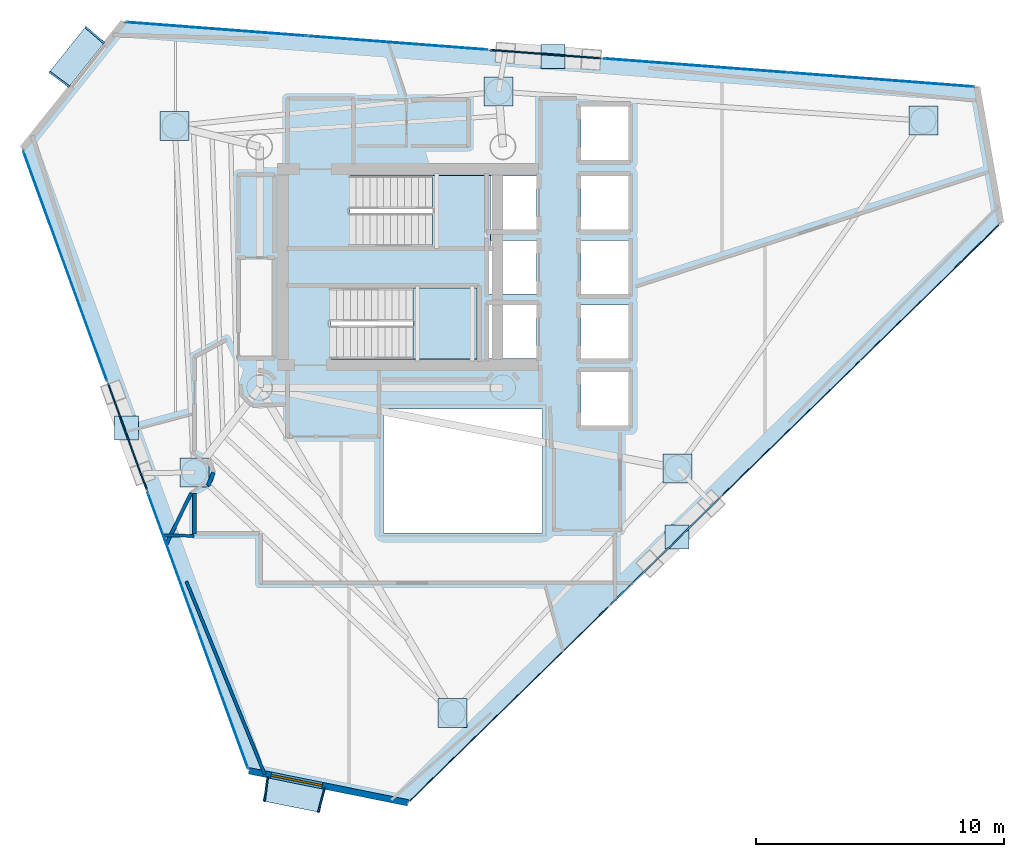
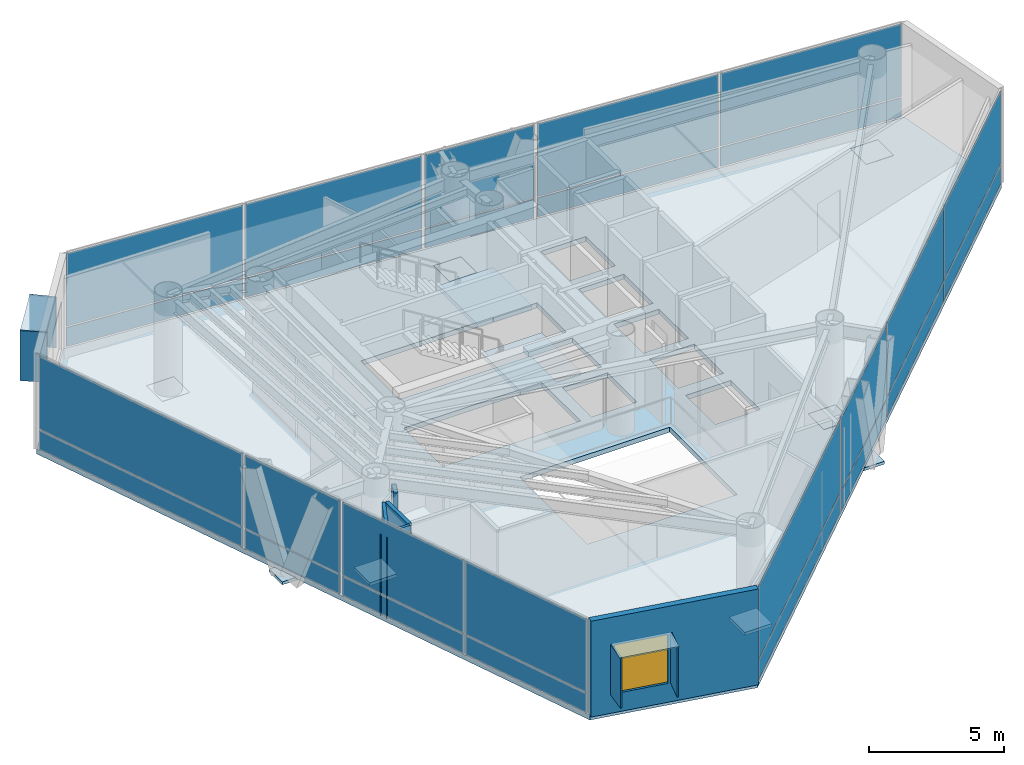
# One storey, part 16 of 21: 41 plates, 6 walls, 3 slabs, 1 window, 1 opening, 11 elements without a shape of their own.
"""IFC4 building model written with IfcOpenShell, lengths in metres."""

from ifc_helpers import new_model, si_unit, direction, frame, frame_2d, origin, origin_2d, place, context, subcontext, project, spatial, polyline, rectangle, outline, extrude, material, layer, layer_set, type_object, element, fill, aggregate, save


model = new_model("IFC4")

# Units and contexts
model_context = context("Model", 3, precision=1e-05, world=origin(), true_north=direction((0.0, 1.0)))
body_context = subcontext(model_context, "Body", "Model", "MODEL_VIEW")
ifc_project = project(units=[si_unit("LENGTHUNIT", "METRE"), si_unit("AREAUNIT", "SQUARE_METRE"), si_unit("VOLUMEUNIT", "CUBIC_METRE"), si_unit("PLANEANGLEUNIT", "RADIAN"), si_unit("MASSUNIT", "GRAM", prefix="KILO")], contexts=[model_context])

# Site, building, storey
site_placement = place(None, origin())
site = spatial("IfcSite", under=ifc_project, at=site_placement, CompositionType="ELEMENT")
building_placement = place(site_placement, origin())
building = spatial("IfcBuilding", under=site, at=building_placement, Name="Qianvela Tower", CompositionType="ELEMENT")
storey_placement = place(building_placement, frame((0.0, 0.0, 234.5)))
storey = spatial("IfcBuildingStorey", under=building, at=storey_placement, Name="L60", CompositionType="ELEMENT", Elevation=234.5)

# Curtain wall, plates
ifc_material_1 = material(Name="Anodised Architectural Aluminium and Insulated Spandrel Panel", Category="aluminium")
ifc_layer_1 = layer(ifc_material_1, 0.179931640625)
ifc_layer_set_1 = layer_set([ifc_layer_1], Name="Anodised Architectural Aluminium and Insulated Spandrel Panel")
curtain_wall_type_1 = type_object("IfcCurtainWallType", Name="CW-BRACEBAY", PredefinedType="USERDEFINED", material=ifc_layer_set_1)
curtain_wall_1_placement = place(storey_placement, origin())
curtain_wall_1 = element("IfcCurtainWall", 1, at=curtain_wall_1_placement, inside=storey, type_object=curtain_wall_type_1, Name="L60 CW-BRACEBAY Curtain Wall 02B", ObjectType="CURTAIN_WALL_SYSTEM", PredefinedType="USERDEFINED")
ifc_material_2 = material(Name="Insulated Aluminium Spandrel Panel with Mineral-Wool Backpan", Category="aluminium")
ifc_layer_2 = layer(ifc_material_2, 0.06005859375)
ifc_layer_set_2 = layer_set([ifc_layer_2], Name="Insulated Aluminium Spandrel Panel with Mineral-Wool Backpan")
plate_type_1 = type_object("IfcPlateType", Name="CW-BRACEBAY-PNL", PredefinedType="CURTAIN_PANEL", material=ifc_layer_set_2)
plate_1_placement = place(storey_placement, frame((40.12548828125, 37.282470703125, 0.06494140625), z_axis=(0.0, 0.0, 1.0), x_axis=(-0.997115046237, 0.075905102383, 0.0)))
plate_1 = element("IfcPlate", 2, at=plate_1_placement, type_object=plate_type_1, Name="CW-9 panel 1.1", PredefinedType="CURTAIN_PANEL", context=body_context, shape_type="SweptSolid", body=[
    extrude(rectangle(XDim=4.4599609375, YDim=0.06005859375, at=origin_2d()), origin(), (0.0, 0.0, 1.0), 0.8525390625),
])
plate_2_placement = place(storey_placement, frame((40.12548828125, 37.282470703125, 0.982421875), z_axis=(0.0, 0.0, 1.0), x_axis=(-0.997115046237, 0.075905102383, 0.0)))
plate_2 = element("IfcPlate", 3, at=plate_2_placement, type_object=plate_type_1, Name="CW-9 panel 1.2", PredefinedType="CURTAIN_PANEL", context=body_context, shape_type="SweptSolid", body=[
    extrude(rectangle(XDim=4.4599609375, YDim=0.06005859375, at=origin_2d()), origin(), (0.0, 0.0, 1.0), 3.2724609375),
])
aggregate(curtain_wall_1, [plate_1, plate_2])

curtain_wall_2_placement = place(storey_placement, origin())
curtain_wall_2 = element("IfcCurtainWall", 4, at=curtain_wall_2_placement, inside=storey, type_object=curtain_wall_type_1, Name="L60 CW-BRACEBAY Curtain Wall 04B", ObjectType="CURTAIN_WALL_SYSTEM", PredefinedType="USERDEFINED")
plate_3_placement = place(storey_placement, frame((23.275146484375, 21.874267578125, 0.06494140625), z_axis=(0.0, 0.0, 1.0), x_axis=(0.342011260937, -0.939695853663, 0.0)))
plate_3 = element("IfcPlate", 5, at=plate_3_placement, type_object=plate_type_1, Name="CW-9 panel 1.1", PredefinedType="CURTAIN_PANEL", context=body_context, shape_type="SweptSolid", body=[
    extrude(rectangle(XDim=4.5400390625, YDim=0.06005859375, at=origin_2d()), origin(), (0.0, 0.0, 1.0), 0.8525390625),
])
plate_4_placement = place(storey_placement, frame((23.275146484375, 21.874267578125, 0.982421875), z_axis=(0.0, 0.0, 1.0), x_axis=(0.342011260937, -0.939695853663, 0.0)))
plate_4 = element("IfcPlate", 6, at=plate_4_placement, type_object=plate_type_1, Name="CW-9 panel 1.2", PredefinedType="CURTAIN_PANEL", context=body_context, shape_type="SweptSolid", body=[
    extrude(rectangle(XDim=4.5400390625, YDim=0.06005859375, at=origin_2d()), origin(), (0.0, 0.0, 1.0), 3.2724609375),
])
aggregate(curtain_wall_2, [plate_3, plate_4])

curtain_wall_3_placement = place(storey_placement, origin())
curtain_wall_3 = element("IfcCurtainWall", 7, at=curtain_wall_3_placement, inside=storey, type_object=curtain_wall_type_1, Name="L60 CW-BRACEBAY Curtain Wall 06B", ObjectType="CURTAIN_WALL_SYSTEM", PredefinedType="USERDEFINED")
plate_5_placement = place(storey_placement, frame((44.927734375, 17.25, 0.06494140625), z_axis=(0.0, 0.0, 1.0), x_axis=(0.715045811344, 0.699077597753, 0.0)))
plate_5 = element("IfcPlate", 8, at=plate_5_placement, type_object=plate_type_1, Name="CW-9 panel 1.1", PredefinedType="CURTAIN_PANEL", context=body_context, shape_type="SweptSolid", body=[
    extrude(rectangle(XDim=6.169921875, YDim=0.06005859375, at=origin_2d()), origin(), (0.0, 0.0, 1.0), 0.8525390625),
])
plate_6_placement = place(storey_placement, frame((44.927734375, 17.25, 0.982421875), z_axis=(0.0, 0.0, 1.0), x_axis=(0.715045811344, 0.699077597753, 0.0)))
plate_6 = element("IfcPlate", 9, at=plate_6_placement, type_object=plate_type_1, Name="CW-9 panel 1.2", PredefinedType="CURTAIN_PANEL", context=body_context, shape_type="SweptSolid", body=[
    extrude(rectangle(XDim=6.169921875, YDim=0.06005859375, at=origin_2d()), origin(), (0.0, 0.0, 1.0), 3.2724609375),
])
aggregate(curtain_wall_3, [plate_5, plate_6])

ifc_material_3 = material(Name="Anodised Architectural Aluminium and Low-E Glass", Category="aluminium")
ifc_layer_3 = layer(ifc_material_3, 0.18994140625)
ifc_layer_set_3 = layer_set([ifc_layer_3], Name="Anodised Architectural Aluminium and Low-E Glass")
curtain_wall_type_2 = type_object("IfcCurtainWallType", Name="CW-SKYLOBBY", PredefinedType="USERDEFINED", material=ifc_layer_set_3)
curtain_wall_4_placement = place(storey_placement, origin())
curtain_wall_4 = element("IfcCurtainWall", 10, at=curtain_wall_4_placement, inside=storey, type_object=curtain_wall_type_2, Name="L60 CW-SKYLOBBY Curtain Wall 02A", ObjectType="CURTAIN_WALL_SYSTEM", PredefinedType="USERDEFINED")
ifc_material_4 = material(Name="Double-Silver Low-E Insulated Glass", Category="glass")
ifc_layer_4 = layer(ifc_material_4, 0.033935546875)
ifc_layer_set_4 = layer_set([ifc_layer_4], Name="Double-Silver Low-E Insulated Glass")
plate_type_2 = type_object("IfcPlateType", Name="CW-SKYLOBBY-PNL", PredefinedType="CURTAIN_PANEL", material=ifc_layer_set_4)
plate_7_placement = place(storey_placement, frame((53.666259765625, 36.251708984375, 0.06494140625), z_axis=(0.0, 0.0, 1.0), x_axis=(-0.997115488611, 0.075899290983, 0.0)))
plate_7 = element("IfcPlate", 11, at=plate_7_placement, type_object=plate_type_2, Name="CW-7 panel 1.1", PredefinedType="CURTAIN_PANEL", context=body_context, shape_type="SweptSolid", body=[
    extrude(rectangle(XDim=7.429931640625, YDim=0.033935546875, at=origin_2d()), origin(), (0.0, 0.0, 1.0), 0.8525390625),
])
plate_8_placement = place(storey_placement, frame((53.666259765625, 36.251708984375, 0.982421875), z_axis=(0.0, 0.0, 1.0), x_axis=(-0.997115488611, 0.075899290983, 0.0)))
plate_8 = element("IfcPlate", 12, at=plate_8_placement, type_object=plate_type_2, Name="CW-7 panel 1.2", PredefinedType="CURTAIN_PANEL", context=body_context, shape_type="SweptSolid", body=[
    extrude(rectangle(XDim=7.429931640625, YDim=0.033935546875, at=origin_2d()), origin(), (0.0, 0.0, 1.0), 3.2724609375),
])
plate_9_placement = place(storey_placement, frame((46.18798828125, 36.82080078125, 0.06494140625), z_axis=(0.0, 0.0, 1.0), x_axis=(-0.997115488611, 0.075899290983, 0.0)))
plate_9 = element("IfcPlate", 13, at=plate_9_placement, type_object=plate_type_2, Name="CW-7 panel 2.1", PredefinedType="CURTAIN_PANEL", context=body_context, shape_type="SweptSolid", body=[
    extrude(rectangle(XDim=7.429931640625, YDim=0.033935546875, at=origin_2d()), origin(), (0.0, 0.0, 1.0), 0.8525390625),
])
plate_10_placement = place(storey_placement, frame((46.18798828125, 36.82080078125, 0.982421875), z_axis=(0.0, 0.0, 1.0), x_axis=(-0.997115488611, 0.075899290983, 0.0)))
plate_10 = element("IfcPlate", 14, at=plate_10_placement, type_object=plate_type_2, Name="CW-7 panel 2.2", PredefinedType="CURTAIN_PANEL", context=body_context, shape_type="SweptSolid", body=[
    extrude(rectangle(XDim=7.429931640625, YDim=0.033935546875, at=origin_2d()), origin(), (0.0, 0.0, 1.0), 3.2724609375),
])
aggregate(curtain_wall_4, [plate_7, plate_8, plate_9, plate_10])

curtain_wall_5_placement = place(storey_placement, origin())
curtain_wall_5 = element("IfcCurtainWall", 15, at=curtain_wall_5_placement, inside=storey, type_object=curtain_wall_type_2, Name="L60 CW-SKYLOBBY Curtain Wall 02C", ObjectType="CURTAIN_WALL_SYSTEM", PredefinedType="USERDEFINED")
plate_11_placement = place(storey_placement, frame((34.15478515625, 37.73681640625, 0.06494140625), z_axis=(0.0, 0.0, 1.0), x_axis=(-0.997115422801, 0.075900155544, 0.0)))
plate_11 = element("IfcPlate", 16, at=plate_11_placement, type_object=plate_type_2, Name="CW-7 panel 1.1", PredefinedType="CURTAIN_PANEL", context=body_context, shape_type="SweptSolid", body=[
    extrude(rectangle(XDim=7.24609375, YDim=0.033935546875, at=origin_2d()), origin(), (0.0, 0.0, 1.0), 0.8525390625),
])
plate_12_placement = place(storey_placement, frame((34.15478515625, 37.73681640625, 0.982421875), z_axis=(0.0, 0.0, 1.0), x_axis=(-0.997115422801, 0.075900155544, 0.0)))
plate_12 = element("IfcPlate", 17, at=plate_12_placement, type_object=plate_type_2, Name="CW-7 panel 1.2", PredefinedType="CURTAIN_PANEL", context=body_context, shape_type="SweptSolid", body=[
    extrude(rectangle(XDim=7.24609375, YDim=0.033935546875, at=origin_2d()), origin(), (0.0, 0.0, 1.0), 3.2724609375),
])
plate_13_placement = place(storey_placement, frame((26.859619140625, 38.292236328125, 0.06494140625), z_axis=(0.0, 0.0, 1.0), x_axis=(-0.997115422801, 0.075900155544, 0.0)))
plate_13 = element("IfcPlate", 18, at=plate_13_placement, type_object=plate_type_2, Name="CW-7 panel 2.1", PredefinedType="CURTAIN_PANEL", context=body_context, shape_type="SweptSolid", body=[
    extrude(rectangle(XDim=7.24609375, YDim=0.033935546875, at=origin_2d()), origin(), (0.0, 0.0, 1.0), 0.8525390625),
])
plate_14_placement = place(storey_placement, frame((26.859619140625, 38.292236328125, 0.982421875), z_axis=(0.0, 0.0, 1.0), x_axis=(-0.997115422801, 0.075900155544, 0.0)))
plate_14 = element("IfcPlate", 19, at=plate_14_placement, type_object=plate_type_2, Name="CW-7 panel 2.2", PredefinedType="CURTAIN_PANEL", context=body_context, shape_type="SweptSolid", body=[
    extrude(rectangle(XDim=7.24609375, YDim=0.033935546875, at=origin_2d()), origin(), (0.0, 0.0, 1.0), 3.2724609375),
])
aggregate(curtain_wall_5, [plate_11, plate_12, plate_13, plate_14])

curtain_wall_6_placement = place(storey_placement, origin())
curtain_wall_6 = element("IfcCurtainWall", 20, at=curtain_wall_6_placement, inside=storey, type_object=curtain_wall_type_2, Name="L60 CW-SKYLOBBY Curtain Wall 04A", ObjectType="CURTAIN_WALL_SYSTEM", PredefinedType="USERDEFINED")
plate_15_placement = place(storey_placement, frame((20.773193359375, 28.748046875, 0.06494140625), z_axis=(0.0, 0.0, 1.0), x_axis=(0.342019556983, -0.939692834197, 0.0)))
plate_15 = element("IfcPlate", 21, at=plate_15_placement, type_object=plate_type_2, Name="CW-7 panel 1.1", PredefinedType="CURTAIN_PANEL", context=body_context, shape_type="SweptSolid", body=[
    extrude(rectangle(XDim=9.820068359375, YDim=0.033935546875, at=origin_2d()), origin(), (0.0, 0.0, 1.0), 0.8525390625),
])
plate_16_placement = place(storey_placement, frame((20.773193359375, 28.748046875, 0.982421875), z_axis=(0.0, 0.0, 1.0), x_axis=(0.342019556983, -0.939692834197, 0.0)))
plate_16 = element("IfcPlate", 22, at=plate_16_placement, type_object=plate_type_2, Name="CW-7 panel 1.2", PredefinedType="CURTAIN_PANEL", context=body_context, shape_type="SweptSolid", body=[
    extrude(rectangle(XDim=9.820068359375, YDim=0.033935546875, at=origin_2d()), origin(), (0.0, 0.0, 1.0), 3.2724609375),
])
aggregate(curtain_wall_6, [plate_15, plate_16])

curtain_wall_7_placement = place(storey_placement, origin())
curtain_wall_7 = element("IfcCurtainWall", 23, at=curtain_wall_7_placement, inside=storey, type_object=curtain_wall_type_2, Name="L60 CW-SKYLOBBY Curtain Wall 04C", ObjectType="CURTAIN_WALL_SYSTEM", PredefinedType="USERDEFINED")
plate_17_placement = place(storey_placement, frame((25.100341796875, 16.859375, 0.06494140625), z_axis=(0.0, 0.0, 1.0), x_axis=(0.34202220488, -0.939691870439, 0.0)))
plate_17 = element("IfcPlate", 24, at=plate_17_placement, type_object=plate_type_2, Name="CW-7 panel 1.1", PredefinedType="CURTAIN_PANEL", context=body_context, shape_type="SweptSolid", body=[
    extrude(rectangle(XDim=5.86328125, YDim=0.033935546875, at=origin_2d()), origin(), (0.0, 0.0, 1.0), 0.8525390625),
])
plate_18_placement = place(storey_placement, frame((25.100341796875, 16.859375, 0.982421875), z_axis=(0.0, 0.0, 1.0), x_axis=(0.34202220488, -0.939691870439, 0.0)))
plate_18 = element("IfcPlate", 25, at=plate_18_placement, type_object=plate_type_2, Name="CW-7 panel 1.2", PredefinedType="CURTAIN_PANEL", context=body_context, shape_type="SweptSolid", body=[
    extrude(rectangle(XDim=5.86328125, YDim=0.033935546875, at=origin_2d()), origin(), (0.0, 0.0, 1.0), 3.2724609375),
])
plate_19_placement = place(storey_placement, frame((27.129638671875, 11.2841796875, 0.06494140625), z_axis=(0.0, 0.0, 1.0), x_axis=(0.34202220488, -0.939691870439, 0.0)))
plate_19 = element("IfcPlate", 26, at=plate_19_placement, type_object=plate_type_2, Name="CW-7 panel 2.1", PredefinedType="CURTAIN_PANEL", context=body_context, shape_type="SweptSolid", body=[
    extrude(rectangle(XDim=5.86328125, YDim=0.033935546875, at=origin_2d()), origin(), (0.0, 0.0, 1.0), 0.8525390625),
])
plate_20_placement = place(storey_placement, frame((27.129638671875, 11.2841796875, 0.982421875), z_axis=(0.0, 0.0, 1.0), x_axis=(0.34202220488, -0.939691870439, 0.0)))
plate_20 = element("IfcPlate", 27, at=plate_20_placement, type_object=plate_type_2, Name="CW-7 panel 2.2", PredefinedType="CURTAIN_PANEL", context=body_context, shape_type="SweptSolid", body=[
    extrude(rectangle(XDim=5.86328125, YDim=0.033935546875, at=origin_2d()), origin(), (0.0, 0.0, 1.0), 3.2724609375),
])
aggregate(curtain_wall_7, [plate_17, plate_18, plate_19, plate_20])

curtain_wall_8_placement = place(storey_placement, origin())
curtain_wall_8 = element("IfcCurtainWall", 28, at=curtain_wall_8_placement, inside=storey, type_object=curtain_wall_type_2, Name="L60 CW-SKYLOBBY Curtain Wall 06A", ObjectType="CURTAIN_WALL_SYSTEM", PredefinedType="USERDEFINED")
plate_21_placement = place(storey_placement, frame((38.642333984375, 11.105224609375, 0.06494140625), z_axis=(0.0, 0.0, 1.0), x_axis=(0.715049308908, 0.69907402028, 0.0)))
plate_21 = element("IfcPlate", 29, at=plate_21_placement, type_object=plate_type_2, Name="CW-7 panel 1.1", PredefinedType="CURTAIN_PANEL", context=body_context, shape_type="SweptSolid", body=[
    extrude(rectangle(XDim=11.139892578125, YDim=0.033935546875, at=origin_2d()), origin(), (0.0, 0.0, 1.0), 0.8525390625),
])
plate_22_placement = place(storey_placement, frame((38.642333984375, 11.105224609375, 0.982421875), z_axis=(0.0, 0.0, 1.0), x_axis=(0.715049308908, 0.69907402028, 0.0)))
plate_22 = element("IfcPlate", 30, at=plate_22_placement, type_object=plate_type_2, Name="CW-7 panel 1.2", PredefinedType="CURTAIN_PANEL", context=body_context, shape_type="SweptSolid", body=[
    extrude(rectangle(XDim=11.139892578125, YDim=0.033935546875, at=origin_2d()), origin(), (0.0, 0.0, 1.0), 3.2724609375),
])
aggregate(curtain_wall_8, [plate_21, plate_22])

curtain_wall_9_placement = place(storey_placement, origin())
curtain_wall_9 = element("IfcCurtainWall", 31, at=curtain_wall_9_placement, inside=storey, type_object=curtain_wall_type_2, Name="L60 CW-SKYLOBBY Curtain Wall 06C", ObjectType="CURTAIN_WALL_SYSTEM", PredefinedType="USERDEFINED")
plate_23_placement = place(storey_placement, frame((50.00244140625, 22.21142578125, 0.06494140625), z_axis=(0.0, 0.0, 1.0), x_axis=(0.715046102769, 0.69907729967, 0.0)))
plate_23 = element("IfcPlate", 32, at=plate_23_placement, type_object=plate_type_2, Name="CW-7 panel 1.1", PredefinedType="CURTAIN_PANEL", context=body_context, shape_type="SweptSolid", body=[
    extrude(rectangle(XDim=7.754150390625, YDim=0.033935546875, at=origin_2d()), origin(), (0.0, 0.0, 1.0), 0.8525390625),
])
plate_24_placement = place(storey_placement, frame((50.00244140625, 22.21142578125, 0.982421875), z_axis=(0.0, 0.0, 1.0), x_axis=(0.715046102769, 0.69907729967, 0.0)))
plate_24 = element("IfcPlate", 33, at=plate_24_placement, type_object=plate_type_2, Name="CW-7 panel 1.2", PredefinedType="CURTAIN_PANEL", context=body_context, shape_type="SweptSolid", body=[
    extrude(rectangle(XDim=7.754150390625, YDim=0.033935546875, at=origin_2d()), origin(), (0.0, 0.0, 1.0), 3.2724609375),
])
plate_25_placement = place(storey_placement, frame((55.596923828125, 27.68115234375, 0.06494140625), z_axis=(0.0, 0.0, 1.0), x_axis=(0.715046102769, 0.69907729967, 0.0)))
plate_25 = element("IfcPlate", 34, at=plate_25_placement, type_object=plate_type_2, Name="CW-7 panel 2.1", PredefinedType="CURTAIN_PANEL", context=body_context, shape_type="SweptSolid", body=[
    extrude(rectangle(XDim=7.754150390625, YDim=0.033935546875, at=origin_2d()), origin(), (0.0, 0.0, 1.0), 0.8525390625),
])
plate_26_placement = place(storey_placement, frame((55.596923828125, 27.68115234375, 0.982421875), z_axis=(0.0, 0.0, 1.0), x_axis=(0.715046102769, 0.69907729967, 0.0)))
plate_26 = element("IfcPlate", 35, at=plate_26_placement, type_object=plate_type_2, Name="CW-7 panel 2.2", PredefinedType="CURTAIN_PANEL", context=body_context, shape_type="SweptSolid", body=[
    extrude(rectangle(XDim=7.754150390625, YDim=0.033935546875, at=origin_2d()), origin(), (0.0, 0.0, 1.0), 3.2724609375),
])
aggregate(curtain_wall_9, [plate_23, plate_24, plate_25, plate_26])

# Plates
ifc_material_5 = material(Name="Steel Q420GJC", Category="steel")
ifc_layer_5 = layer(ifc_material_5, 0.1298828125)
ifc_layer_set_5 = layer_set([ifc_layer_5], Name="Steel Q420GJC")
plate_type_3 = type_object("IfcPlateType", Name="PT-ENDCAP-130", PredefinedType="USERDEFINED", material=ifc_layer_set_5)
for number, where, z_axis, x_axis, name in (
    (36, (40.424072265625, 37.179443359375, -0.30126953125), (0.0, 0.0, 1.0), (1.0, 0.0, 0.0), "L60 Hollow Section End Cap Plate A"),
    (37, (23.23388671875, 22.2216796875, -0.30126953125), (0.0, 0.0, 1.0), (1.0, 0.0, 0.0), "L60 Hollow Section End Cap Plate A"),
    (38, (45.412109375, 17.83544921875, -0.30126953125), (0.0, 0.0, 1.0), (1.0, 0.0, 0.0), "L60 Hollow Section End Cap Plate A"),
):
    element("IfcPlate", number, at=place(storey_placement, frame(where, z_axis=z_axis, x_axis=x_axis)), inside=storey, type_object=plate_type_3, Name=name, ObjectType="END_CAP", PredefinedType="USERDEFINED", context=body_context, shape_type="SweptSolid", body=[
        extrude(rectangle(XDim=0.969970703125, YDim=0.969970703125, at=origin_2d()), origin(), (0.0, 0.0, 1.0), 0.1298828125),
    ])
ifc_material_6 = material(Name="Steel Q420GJC", Category="steel")
ifc_layer_6 = layer(ifc_material_6, 0.139892578125)
ifc_layer_set_6 = layer_set([ifc_layer_6], Name="Steel Q420GJC")
plate_type_4 = type_object("IfcPlateType", Name="PT-GUSSET-NODE-140", PredefinedType="USERDEFINED", material=ifc_layer_set_6)
for number, where, z_axis, x_axis, name in (
    (39, (55.33203125, 34.60498046875, -0.134765625), (0.0, 0.0, 1.0), (1.0, 0.0, 0.0), "L60 Node Gusset Plate BOT"),
    (40, (38.22509765625, 35.77294921875, -0.134765625), (0.0, 0.0, 1.0), (1.0, 0.0, 0.0), "L60 Node Gusset Plate BOT"),
    (41, (25.181884765625, 34.384033203125, -0.134765625), (0.0, 0.0, 1.0), (1.0, 0.0, 0.0), "L60 Node Gusset Plate BOT"),
    (42, (25.971923828125, 20.43701171875, -0.134765625), (0.0, 0.0, 1.0), (1.0, 0.0, 0.0), "L60 Node Gusset Plate BOT"),
    (43, (36.368896484375, 10.741943359375, -0.134765625), (0.0, 0.0, 1.0), (1.0, 0.0, 0.0), "L60 Node Gusset Plate BOT"),
    (44, (45.43603515625, 20.597900390625, -0.134765625), (0.0, 0.0, 1.0), (1.0, 0.0, 0.0), "L60 Node Gusset Plate BOT"),
):
    element("IfcPlate", number, at=place(storey_placement, frame(where, z_axis=z_axis, x_axis=x_axis)), inside=storey, type_object=plate_type_4, Name=name, ObjectType="GUSSET_PLATE", PredefinedType="USERDEFINED", context=body_context, shape_type="SweptSolid", body=[
        extrude(rectangle(XDim=1.169921875, YDim=1.169921875, at=origin_2d()), origin(), (0.0, 0.0, 1.0), 0.139892578125),
    ])

# Slab
ifc_material_7 = material(Name="Concrete C40", Category="concrete")
ifc_layer_7 = layer(ifc_material_7, 0.219970703125)
ifc_layer_set_7 = layer_set([ifc_layer_7], Name="Concrete C40")
slab_type_1 = type_object("IfcSlabType", Name="SL-POD-220", PredefinedType="FLOOR", material=ifc_layer_set_7)
slab_1_placement = place(storey_placement, frame((0.0, 0.0, -0.219970703125)))
element("IfcSlab", 45, at=slab_1_placement, inside=storey, type_object=slab_type_1, Name="L60 Composite Structural Floor Slab", PredefinedType="FLOOR", context=body_context, shape_type="SweptSolid", body=[
    extrude(outline(polyline([(58.455078125, 30.475341796875), (57.490234375, 35.960693359375), (23.12744140625, 38.576416015625), (19.052978515625, 33.474609375), (28.17333984375, 8.41650390625), (34.57373046875, 7.12744140625), (58.455078125, 30.475341796875)]), holes=[polyline([(40.0, 23.0), (33.60009765625, 23.0), (33.60009765625, 18.0), (40.0, 18.0), (40.0, 23.0)]), polyline([(39.760009765625, 27.179931640625), (37.840087890625, 27.179931640625), (37.840087890625, 25.02001953125), (39.760009765625, 25.02001953125), (39.760009765625, 27.179931640625)]), polyline([(37.35009765625, 27.860107421875), (31.469970703125, 27.860107421875), (31.469970703125, 25.0), (37.35009765625, 25.0), (37.35009765625, 27.860107421875)]), polyline([(37.840087890625, 27.6201171875), (39.760009765625, 27.6201171875), (39.760009765625, 29.780029296875), (37.89990234375, 29.780029296875), (37.89990234375, 30.219970703125), (39.760009765625, 30.219970703125), (39.760009765625, 32.3798828125), (37.89990234375, 32.3798828125), (37.89990234375, 32.39990234375), (32.25, 32.39990234375), (32.25, 29.5400390625), (37.840087890625, 29.5400390625), (37.840087890625, 27.6201171875)]), polyline([(43.4599609375, 22.320068359375), (43.4599609375, 24.47998046875), (41.5400390625, 24.47998046875), (41.5400390625, 22.320068359375), (43.4599609375, 22.320068359375)]), polyline([(43.4599609375, 25.02001953125), (43.4599609375, 27.179931640625), (41.5400390625, 27.179931640625), (41.5400390625, 25.02001953125), (43.4599609375, 25.02001953125)]), polyline([(43.4599609375, 29.780029296875), (41.5400390625, 29.780029296875), (41.5400390625, 27.6201171875), (43.4599609375, 27.6201171875), (43.4599609375, 29.780029296875)]), polyline([(43.4599609375, 30.219970703125), (43.4599609375, 32.3798828125), (41.5400390625, 32.3798828125), (41.5400390625, 30.219970703125), (43.4599609375, 30.219970703125)]), polyline([(43.4599609375, 33.02001953125), (43.4599609375, 35.179931640625), (41.5400390625, 35.179931640625), (41.5400390625, 33.02001953125), (43.4599609375, 33.02001953125)])]), origin(), (0.0, 0.0, 1.0), 0.219970703125),
])

# Stair, slab
ifc_material_8 = material(Name="Concrete C40", Category="concrete")
stair_type = type_object("IfcStairType", Name="ST-DOGLEG-1350-R173-N26", PredefinedType="HALF_TURN_STAIR", material=ifc_material_8)
stair_1_placement = place(storey_placement, origin())
stair_1 = element("IfcStair", 46, at=stair_1_placement, inside=storey, type_object=stair_type, Name="L60 Smoke-Proof Core Stair ST-1", PredefinedType="HALF_TURN_STAIR")
ifc_material_9 = material(Name="Concrete C40", Category="concrete")
ifc_layer_8 = layer(ifc_material_9, 0.199951171875)
ifc_layer_set_8 = layer_set([ifc_layer_8], Name="Concrete C40")
slab_type_2 = type_object("IfcSlabType", Name="SL-STAIR-LANDING-200", PredefinedType="LANDING", material=ifc_layer_set_8)
slab_2_placement = place(storey_placement, frame((0.0, 0.0, 2.050048828125)))
slab_2 = element("IfcSlab", 47, at=slab_2_placement, type_object=slab_type_2, Name="ST-1 landing 1", PredefinedType="LANDING", context=body_context, shape_type="SweptSolid", body=[
    extrude(outline(polyline([(35.56005859375, 29.5400390625), (37.89990234375, 29.5400390625), (37.89990234375, 32.39990234375), (35.56005859375, 32.39990234375), (35.56005859375, 29.5400390625)])), origin(), (0.0, 0.0, 1.0), 0.199951171875),
])
aggregate(stair_1, [slab_2])

stair_2_placement = place(storey_placement, origin())
stair_2 = element("IfcStair", 48, at=stair_2_placement, inside=storey, type_object=stair_type, Name="L60 Smoke-Proof Core Stair ST-2", PredefinedType="HALF_TURN_STAIR")
slab_3_placement = place(storey_placement, frame((0.0, 0.0, 2.050048828125)))
slab_3 = element("IfcSlab", 49, at=slab_3_placement, type_object=slab_type_2, Name="ST-2 landing 1", PredefinedType="LANDING", context=body_context, shape_type="SweptSolid", body=[
    extrude(outline(polyline([(34.780029296875, 25.0), (37.35009765625, 25.0), (37.35009765625, 27.860107421875), (34.780029296875, 27.860107421875), (34.780029296875, 25.0)])), origin(), (0.0, 0.0, 1.0), 0.199951171875),
])
aggregate(stair_2, [slab_3])

# Plates
ifc_material_10 = material(Name="Vitrified Architectural Terracotta Panel", Category="masonry")
ifc_layer_9 = layer(ifc_material_10, 0.06005859375)
ifc_layer_set_9 = layer_set([ifc_layer_9], Name="Vitrified Architectural Terracotta Panel")
plate_type_5 = type_object("IfcPlateType", Name="TERRACOTTA-SUNSHADE-HOOD-FOLD-A", PredefinedType="USERDEFINED", material=ifc_layer_set_9)
plate_27_placement = place(storey_placement, frame((29.97802734375, 7.456298828125, 3.06005859375), z_axis=(0.0, 0.0, 1.0), x_axis=(0.980317719324, -0.197426363941, 0.0)))
element("IfcPlate", 50, at=plate_27_placement, inside=storey, type_object=plate_type_5, Name="L60 Terracotta Sunshade Hood FOLD-A", ObjectType="SUNSHADE", PredefinedType="USERDEFINED", context=body_context, shape_type="SweptSolid", body=[
    extrude(rectangle(XDim=2.340087890625, YDim=0.989990234375, at=origin_2d()), origin(), (0.0, 0.0, 1.0), 0.06005859375),
])
ifc_material_11 = material(Name="Vitrified Architectural Terracotta Panel", Category="masonry")
ifc_layer_10 = layer(ifc_material_11, 0.070068359375)
ifc_layer_set_10 = layer_set([ifc_layer_10], Name="Vitrified Architectural Terracotta Panel")
plate_type_6 = type_object("IfcPlateType", Name="TERRACOTTA-SUNSHADE-HOOD-FOLD-C", PredefinedType="USERDEFINED", material=ifc_layer_set_10)
plate_28_placement = place(storey_placement, frame((21.248291015625, 37.160888671875, 3.06005859375), z_axis=(0.0, 0.0, 1.0), x_axis=(-0.624060993301, -0.781375630948, 0.0)))
element("IfcPlate", 51, at=plate_28_placement, inside=storey, type_object=plate_type_6, Name="L60 Terracotta Sunshade Hood FOLD-C", ObjectType="SUNSHADE", PredefinedType="USERDEFINED", context=body_context, shape_type="SweptSolid", body=[
    extrude(rectangle(XDim=2.340087890625, YDim=0.989990234375, at=origin_2d()), origin(), (0.0, 0.0, 1.0), 0.06005859375),
])
ifc_material_12 = material(Name="Vitrified Architectural Terracotta Side Fin Panel", Category="masonry")
ifc_layer_11 = layer(ifc_material_12, 0.06494140625)
ifc_layer_set_11 = layer_set([ifc_layer_11], Name="Vitrified Architectural Terracotta Side Fin Panel")
plate_type_7 = type_object("IfcPlateType", Name="TERRACOTTA-SUNSHADE-STRUT-FOLD-A", PredefinedType="USERDEFINED", material=ifc_layer_set_11)
for number, where, z_axis, x_axis, name in (
    (52, (28.8603515625, 7.681396484375, 0.85009765625), (0.0, 0.0, 1.0), (0.991701481603, -0.128561935992, 0.0), "L60 Terracotta Sunshade Side Fin HL FOLD-A"),
    (53, (31.095458984375, 7.231201171875, 0.85009765625), (0.0, 0.0, 1.0), (0.964157947658, -0.26532895049, 0.0), "L60 Terracotta Sunshade Side Fin HR FOLD-A"),
):
    element("IfcPlate", number, at=place(storey_placement, frame(where, z_axis=z_axis, x_axis=x_axis)), inside=storey, type_object=plate_type_7, Name=name, ObjectType="SUNSHADE", PredefinedType="USERDEFINED", context=body_context, shape_type="SweptSolid", body=[
        extrude(rectangle(XDim=0.06494140625, YDim=1.010009765625, at=origin_2d()), origin(), (0.0, 0.0, 1.0), 2.260009765625),
    ])
ifc_material_13 = material(Name="Vitrified Architectural Terracotta Side Fin Panel", Category="masonry")
ifc_layer_12 = layer(ifc_material_13, 0.074951171875)
ifc_layer_set_12 = layer_set([ifc_layer_12], Name="Vitrified Architectural Terracotta Side Fin Panel")
plate_type_8 = type_object("IfcPlateType", Name="TERRACOTTA-SUNSHADE-STRUT-FOLD-C", PredefinedType="USERDEFINED", material=ifc_layer_set_12)
for number, where, z_axis, x_axis, name in (
    (54, (21.959716796875, 38.051513671875, 0.85009765625), (0.0, 0.0, 1.0), (-0.650950448461, -0.759120223448, 0.0), "L60 Terracotta Sunshade Side Fin HL FOLD-C"),
    (55, (20.536865234375, 36.27001953125, 0.85009765625), (0.0, 0.0, 1.0), (-0.59641121595, -0.802679052604, 0.0), "L60 Terracotta Sunshade Side Fin HR FOLD-C"),
):
    element("IfcPlate", number, at=place(storey_placement, frame(where, z_axis=z_axis, x_axis=x_axis)), inside=storey, type_object=plate_type_8, Name=name, ObjectType="SUNSHADE", PredefinedType="USERDEFINED", context=body_context, shape_type="SweptSolid", body=[
        extrude(rectangle(XDim=0.074951171875, YDim=1.010009765625, at=origin_2d()), origin(), (0.0, 0.0, 1.0), 2.260009765625),
    ])

# Wall, opening, window
ifc_material_14 = material(Name="Terracotta Cladding on Concrete C40", Category="masonry")
ifc_layer_13 = layer(ifc_material_14, 0.260009765625)
ifc_layer_set_13 = layer_set([ifc_layer_13], Name="Terracotta Cladding on Concrete C40")
wall_type_1 = type_object("IfcWallType", Name="TERRACOTTA-WALL-260", PredefinedType="SOLIDWALL", material=ifc_layer_set_13)
wall_1_placement = place(storey_placement, frame((28.17333984375, 8.41650390625, 0.0), z_axis=(0.0, 0.0, 1.0), x_axis=(0.980315150118, -0.197439120866, 0.0)))
wall_1 = element("IfcWall", 56, at=wall_1_placement, inside=storey, type_object=wall_type_1, Name="L60 Terracotta Chamfer Facet Wall 5", PredefinedType="SOLIDWALL", context=body_context, shape_type="SweptSolid", body=[
    extrude(rectangle(XDim=6.52880859375, YDim=0.260009765625, at=frame_2d((3.264404296875, 0.0))), origin(), (0.0, 0.0, 1.0), 4.320068359375),
])
opening_placement = place(wall_1_placement, frame((0.90869140625, 0.0, 0.85009765625)))
opening = element("IfcOpeningElement", 57, at=opening_placement, cuts=wall_1, Name="Opening W-04", PredefinedType="OPENING", context=body_context, shape_type="SweptSolid", body=[
    extrude(rectangle(XDim=2.10009765625, YDim=2.199951171875, at=frame_2d((1.050048828125, 1.10009765625))), frame((0.0, 0.139892578125, 0.0), z_axis=(0.0, -1.0, 0.0), x_axis=(1.0, 0.0, 0.0)), (0.0, 0.0, 1.0), 0.280029296875),
])
ifc_material_15 = material(Name="Thermally Broken Aluminium and Low-E Glass", Category="aluminium")
window_type = type_object("IfcWindowType", Name="WIN-TC-2100x2200", PartitioningType="TRIPLE_PANEL_VERTICAL", PredefinedType="WINDOW", material=ifc_material_15)
window_placement = place(opening_placement, origin())
window = element("IfcWindow", 58, at=window_placement, inside=storey, type_object=window_type, Name="L60 Chamfer Facet Window 5.1", OverallHeight=2.199951171875, OverallWidth=2.10009765625, PartitioningType="SINGLE_PANEL", PredefinedType="WINDOW", context=body_context, shape_type="SweptSolid", body=[
    extrude(rectangle(XDim=2.10009765625, YDim=2.199951171875, at=frame_2d((1.050048828125, 1.10009765625))), frame((0.0, 0.030029296875, 0.0), z_axis=(0.0, -1.0, 0.0), x_axis=(1.0, 0.0, 0.0)), (0.0, 0.0, 1.0), 0.06005859375),
])
fill(opening, window)

# Walls
ifc_material_16 = material(Name="Fire-Rated Gypsum and Concrete Block", Category="concrete")
ifc_layer_14 = layer(ifc_material_16, 0.159912109375)
ifc_layer_set_14 = layer_set([ifc_layer_14], Name="Fire-Rated Gypsum and Concrete Block")
wall_type_2 = type_object("IfcWallType", Name="WT-CORR-160", PredefinedType="PARTITIONING", material=ifc_layer_set_14)
wall_2_placement = place(storey_placement, frame((25.98095703125, 17.949951171875, 0.0), z_axis=(0.0, 0.0, 1.0), x_axis=(0.0, 1.0, 0.0)))
element("IfcWall", 59, at=wall_2_placement, inside=storey, type_object=wall_type_2, Name="L60 Partition 64", PredefinedType="PARTITIONING", context=body_context, shape_type="SweptSolid", body=[
    extrude(rectangle(XDim=1.634765625, YDim=0.159912109375, at=frame_2d((0.8173828125, 0.0))), origin(), (0.0, 0.0, 1.0), 3.639892578125),
])
wall_3_placement = place(storey_placement, frame((26.52734375, 19.898193359375, 0.0), z_axis=(0.0, 0.0, 1.0), x_axis=(0.382729887879, 0.923860288639, 0.0)))
element("IfcWall", 60, at=wall_3_placement, inside=storey, type_object=wall_type_2, Name="L60 Partition 65", PredefinedType="PARTITIONING", context=body_context, shape_type="SweptSolid", body=[
    extrude(rectangle(XDim=0.5703125, YDim=0.159912109375, at=frame_2d((0.28515625, 0.0))), origin(), (0.0, 0.0, 1.0), 3.639892578125),
])
ifc_material_17 = material(Name="Insulated Gypsum Stud Partition")
ifc_layer_15 = layer(ifc_material_17, 0.1201171875)
ifc_layer_set_15 = layer_set([ifc_layer_15], Name="Insulated Gypsum Stud Partition")
wall_type_3 = type_object("IfcWallType", Name="WT-PART-120", PredefinedType="PARTITIONING", material=ifc_layer_set_15)
wall_4_placement = place(storey_placement, frame((24.70166015625, 17.900146484375, 0.0), z_axis=(0.0, 0.0, 1.0), x_axis=(0.999871423276, -0.016035489284, 0.0)))
element("IfcWall", 61, at=wall_4_placement, inside=storey, type_object=wall_type_3, Name="L60 Partition 75 seg 1", PredefinedType="PARTITIONING", context=body_context, shape_type="SweptSolid", body=[
    extrude(rectangle(XDim=1.24853515625, YDim=0.1201171875, at=frame_2d((0.624267578125, 0.0))), origin(), (0.0, 0.0, 1.0), 3.639892578125),
])
wall_5_placement = place(storey_placement, frame((28.812744140625, 8.270263671875, 0.0), z_axis=(0.0, 0.0, 1.0), x_axis=(-0.376573581052, 0.926386710858, 0.0)))
element("IfcWall", 62, at=wall_5_placement, inside=storey, type_object=wall_type_3, Name="L60 Partition 81 seg 1", PredefinedType="PARTITIONING", context=body_context, shape_type="SweptSolid", body=[
    extrude(rectangle(XDim=8.396484375, YDim=0.1201171875, at=frame_2d((4.1982421875, 0.0))), origin(), (0.0, 0.0, 1.0), 3.639892578125),
])
ifc_material_18 = material(Name="Acoustic Double Gypsum Stud Partition")
ifc_layer_16 = layer(ifc_material_18, 0.139892578125)
ifc_layer_set_16 = layer_set([ifc_layer_16], Name="Acoustic Double Gypsum Stud Partition")
wall_type_4 = type_object("IfcWallType", Name="WT-ROOM-140", PredefinedType="PARTITIONING", material=ifc_layer_set_16)
wall_6_placement = place(storey_placement, frame((25.84228515625, 19.607666015625, 0.0), z_axis=(0.0, 0.0, 1.0), x_axis=(-0.434265140705, -0.900785095108, 0.0)))
element("IfcWall", 63, at=wall_6_placement, inside=storey, type_object=wall_type_4, Name="L60 Partition 74", PredefinedType="PARTITIONING", context=body_context, shape_type="SweptSolid", body=[
    extrude(rectangle(XDim=2.285888671875, YDim=0.139892578125, at=frame_2d((1.14306640625, 0.0))), origin(), (0.0, 0.0, 1.0), 3.639892578125),
])

save(model, "model.ifc")
